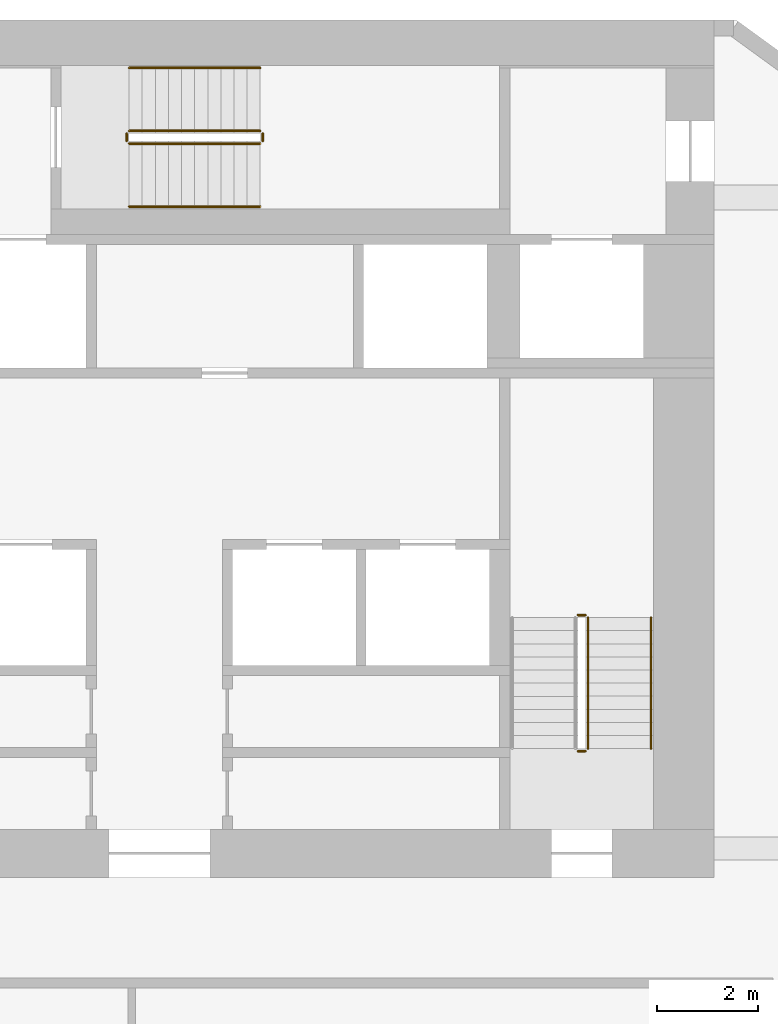
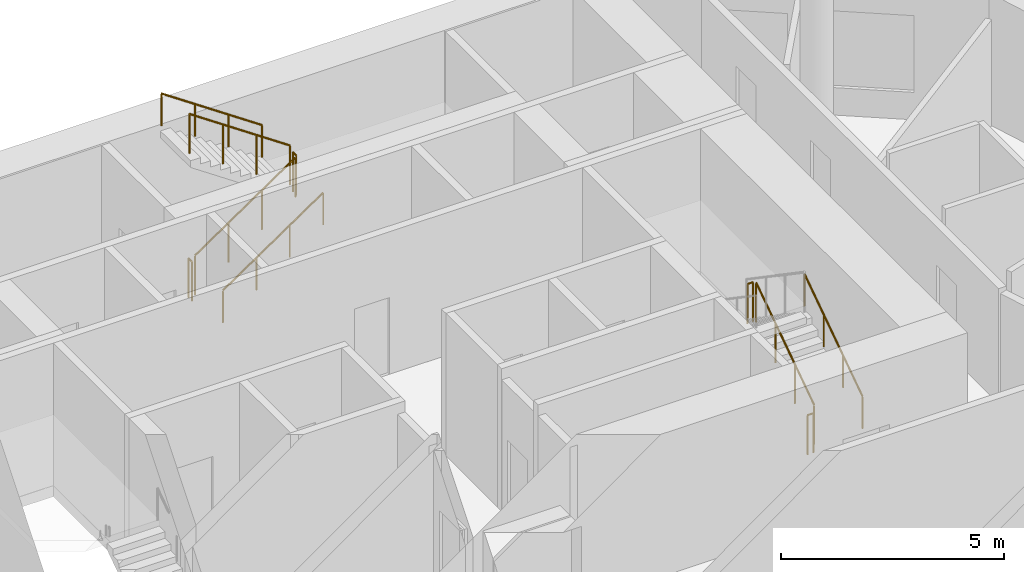
# One storey, part 9 of 9: 10 railings.
"""IFC4 building model written with IfcOpenShell, lengths in metres."""

from ifc_helpers import new_model, si_unit, direction, frame, origin, origin_2d, place, context, subcontext, project, spatial, circle, extrude, material, type_object, element, save


model = new_model("IFC4")

# Units and contexts
model_context = context("Model", 3, precision=1e-05, world=origin(), true_north=direction((0.0, 1.0)))
body_context = subcontext(model_context, "Body", "Model", "MODEL_VIEW")
ifc_project = project(units=[si_unit("LENGTHUNIT", "METRE"), si_unit("AREAUNIT", "SQUARE_METRE"), si_unit("VOLUMEUNIT", "CUBIC_METRE"), si_unit("PLANEANGLEUNIT", "RADIAN"), si_unit("MASSUNIT", "GRAM", prefix="KILO")], contexts=[model_context])

# Site, building, storey
site_placement = place(None, origin())
site = spatial("IfcSite", under=ifc_project, at=site_placement, CompositionType="ELEMENT")
building_placement = place(site_placement, origin())
building = spatial("IfcBuilding", under=site, at=building_placement, Name="White Candle Pilgrim Tower", CompositionType="ELEMENT")
storey_placement = place(building_placement, frame((0.0, 0.0, 187.60009765625)))
storey = spatial("IfcBuildingStorey", under=building, at=storey_placement, Name="L43", CompositionType="ELEMENT", Elevation=187.60009765625)

# Railings
ifc_material = material(Name="Stainless steel", Category="steel")
railing_type_1 = type_object("IfcRailingType", Name="Stair guard stainless steel 1100 mm", PredefinedType="GUARDRAIL", material=ifc_material)
railing_1_placement = place(storey_placement, frame((78.5, 73.550048828125, 0.17724609375)))
element("IfcRailing", 1, at=railing_1_placement, inside=storey, type_object=railing_type_1, Name="L43 ST2 stair guard 1", PredefinedType="GUARDRAIL", context=body_context, shape_type="SweptSolid", body=[
    extrude(circle(Radius=0.02392578125, at=origin_2d()), frame((0.0, 0.0, 1.076171875), z_axis=(0.0, 0.826215852431, 0.563353676824), x_axis=(-1.0, 0.0, 0.0)), (0.0, 0.0, 1.0), 3.146728515625),
    extrude(circle(Radius=0.02099609375, at=origin_2d()), origin(), (0.0, 0.0, 1.0), 1.052001953125),
    extrude(circle(Radius=0.02099609375, at=origin_2d()), frame((0.0, 0.86669921875, 0.5908203125)), (0.0, 0.0, 1.0), 1.052001953125),
    extrude(circle(Radius=0.02099609375, at=origin_2d()), frame((0.0, 1.733154296875, 1.181884765625)), (0.0, 0.0, 1.0), 1.052001953125),
    extrude(circle(Radius=0.02099609375, at=origin_2d()), frame((0.0, 2.599853515625, 1.772705078125)), (0.0, 0.0, 1.0), 1.052001953125),
])
for number, where, name in (
    (2, (78.449951171875, 76.199951171875, 1.949951171875), "L43 ST2 stair guard 2"),
    (3, (78.449951171875, 73.5, 0.0), "L43 ST2 stair guard 4"),
):
    element("IfcRailing", number, at=place(storey_placement, frame(where)), inside=storey, type_object=railing_type_1, Name=name, PredefinedType="GUARDRAIL", context=body_context, shape_type="SweptSolid", body=[
        extrude(circle(Radius=0.02392578125, at=origin_2d()), frame((0.0, 0.0, 1.076171875), z_axis=(-1.0, 0.0, 0.0), x_axis=(0.0, -1.0, 0.0)), (0.0, 0.0, 1.0), 0.14990234375),
        extrude(circle(Radius=0.02099609375, at=origin_2d()), origin(), (0.0, 0.0, 1.0), 1.052001953125),
        extrude(circle(Radius=0.02099609375, at=origin_2d()), frame((-0.14990234375, 0.0, 0.0)), (0.0, 0.0, 1.0), 1.052001953125),
    ])
railing_2_placement = place(storey_placement, frame((69.39990234375, 85.550048828125, 0.17724609375)))
element("IfcRailing", 4, at=railing_2_placement, inside=storey, type_object=railing_type_1, Name="L43 ST3 stair guard 1", PredefinedType="GUARDRAIL", context=body_context, shape_type="SweptSolid", body=[
    extrude(circle(Radius=0.02392578125, at=origin_2d()), frame((0.0, 0.0, 1.076171875), z_axis=(0.826240473404, 0.0, 0.563317565952), x_axis=(0.0, 1.0, 0.0)), (0.0, 0.0, 1.0), 3.14697265625),
    extrude(circle(Radius=0.02099609375, at=origin_2d()), origin(), (0.0, 0.0, 1.0), 1.052001953125),
    extrude(circle(Radius=0.02099609375, at=origin_2d()), frame((0.86669921875, 0.0, 0.5908203125)), (0.0, 0.0, 1.0), 1.052001953125),
    extrude(circle(Radius=0.02099609375, at=origin_2d()), frame((1.7333984375, 0.0, 1.181884765625)), (0.0, 0.0, 1.0), 1.052001953125),
    extrude(circle(Radius=0.02099609375, at=origin_2d()), frame((2.60009765625, 0.0, 1.772705078125)), (0.0, 0.0, 1.0), 1.052001953125),
])
railing_3_placement = place(storey_placement, frame((72.050048828125, 85.60009765625, 1.949951171875)))
element("IfcRailing", 5, at=railing_3_placement, inside=storey, type_object=railing_type_1, Name="L43 ST3 stair guard 2", PredefinedType="GUARDRAIL", context=body_context, shape_type="SweptSolid", body=[
    extrude(circle(Radius=0.02392578125, at=origin_2d()), frame((0.0, 0.0, 1.076171875), z_axis=(0.0, 1.0, 0.0), x_axis=(-1.0, 0.0, 0.0)), (0.0, 0.0, 1.0), 0.14990234375),
    extrude(circle(Radius=0.02099609375, at=origin_2d()), origin(), (0.0, 0.0, 1.0), 1.052001953125),
    extrude(circle(Radius=0.02099609375, at=origin_2d()), frame((0.0, 0.14990234375, 0.0)), (0.0, 0.0, 1.0), 1.052001953125),
])
railing_4_placement = place(storey_placement, frame((72.0, 85.800048828125, 2.127197265625)))
element("IfcRailing", 6, at=railing_4_placement, inside=storey, type_object=railing_type_1, Name="L43 ST3 stair guard 3", PredefinedType="GUARDRAIL", context=body_context, shape_type="SweptSolid", body=[
    extrude(circle(Radius=0.02392578125, at=origin_2d()), frame((0.0, 0.0, 1.076171875), z_axis=(-0.826240473404, 0.0, 0.563317565952), x_axis=(0.0, -1.0, 0.0)), (0.0, 0.0, 1.0), 3.14697265625),
    extrude(circle(Radius=0.02099609375, at=origin_2d()), origin(), (0.0, 0.0, 1.0), 1.052001953125),
    extrude(circle(Radius=0.02099609375, at=origin_2d()), frame((-0.86669921875, 0.0, 0.5908203125)), (0.0, 0.0, 1.0), 1.052001953125),
    extrude(circle(Radius=0.02099609375, at=origin_2d()), frame((-1.7333984375, 0.0, 1.181884765625)), (0.0, 0.0, 1.0), 1.052001953125),
    extrude(circle(Radius=0.02099609375, at=origin_2d()), frame((-2.60009765625, 0.0, 1.772705078125)), (0.0, 0.0, 1.0), 1.052001953125),
])
railing_5_placement = place(storey_placement, frame((69.35009765625, 85.60009765625, 0.0)))
element("IfcRailing", 7, at=railing_5_placement, inside=storey, type_object=railing_type_1, Name="L43 ST3 stair guard 4", PredefinedType="GUARDRAIL", context=body_context, shape_type="SweptSolid", body=[
    extrude(circle(Radius=0.02392578125, at=origin_2d()), frame((0.0, 0.0, 1.076171875), z_axis=(0.0, 1.0, 0.0), x_axis=(-1.0, 0.0, 0.0)), (0.0, 0.0, 1.0), 0.14990234375),
    extrude(circle(Radius=0.02099609375, at=origin_2d()), origin(), (0.0, 0.0, 1.0), 1.052001953125),
    extrude(circle(Radius=0.02099609375, at=origin_2d()), frame((0.0, 0.14990234375, 0.0)), (0.0, 0.0, 1.0), 1.052001953125),
])
railing_type_2 = type_object("IfcRailingType", Name="Stair handrail stainless steel", PredefinedType="HANDRAIL", material=ifc_material)
railing_6_placement = place(storey_placement, frame((79.75, 73.550048828125, 0.17724609375)))
element("IfcRailing", 8, at=railing_6_placement, inside=storey, type_object=railing_type_2, Name="L43 ST2 stair handrail 1", PredefinedType="HANDRAIL", context=body_context, shape_type="SweptSolid", body=[
    extrude(circle(Radius=0.02392578125, at=origin_2d()), frame((0.0, 0.0, 0.8759765625), z_axis=(0.0, 0.826215852431, 0.563353676824), x_axis=(-1.0, 0.0, 0.0)), (0.0, 0.0, 1.0), 3.146728515625),
    extrude(circle(Radius=0.02099609375, at=origin_2d()), origin(), (0.0, 0.0, 1.0), 0.851806640625),
    extrude(circle(Radius=0.02099609375, at=origin_2d()), frame((0.0, 0.86669921875, 0.5908203125)), (0.0, 0.0, 1.0), 0.851806640625),
    extrude(circle(Radius=0.02099609375, at=origin_2d()), frame((0.0, 1.733154296875, 1.181884765625)), (0.0, 0.0, 1.0), 0.851806640625),
    extrude(circle(Radius=0.02099609375, at=origin_2d()), frame((0.0, 2.599853515625, 1.772705078125)), (0.0, 0.0, 1.0), 0.851806640625),
])
railing_7_placement = place(storey_placement, frame((69.39990234375, 84.300048828125, 0.17724609375)))
element("IfcRailing", 9, at=railing_7_placement, inside=storey, type_object=railing_type_2, Name="L43 ST3 stair handrail 1", PredefinedType="HANDRAIL", context=body_context, shape_type="SweptSolid", body=[
    extrude(circle(Radius=0.02392578125, at=origin_2d()), frame((0.0, 0.0, 0.8759765625), z_axis=(0.826240473404, 0.0, 0.563317565952), x_axis=(0.0, 1.0, 0.0)), (0.0, 0.0, 1.0), 3.14697265625),
    extrude(circle(Radius=0.02099609375, at=origin_2d()), origin(), (0.0, 0.0, 1.0), 0.851806640625),
    extrude(circle(Radius=0.02099609375, at=origin_2d()), frame((0.86669921875, 0.0, 0.5908203125)), (0.0, 0.0, 1.0), 0.851806640625),
    extrude(circle(Radius=0.02099609375, at=origin_2d()), frame((1.7333984375, 0.0, 1.181884765625)), (0.0, 0.0, 1.0), 0.851806640625),
    extrude(circle(Radius=0.02099609375, at=origin_2d()), frame((2.60009765625, 0.0, 1.772705078125)), (0.0, 0.0, 1.0), 0.851806640625),
])
railing_8_placement = place(storey_placement, frame((72.0, 87.050048828125, 2.127197265625)))
element("IfcRailing", 10, at=railing_8_placement, inside=storey, type_object=railing_type_2, Name="L43 ST3 stair handrail 2", PredefinedType="HANDRAIL", context=body_context, shape_type="SweptSolid", body=[
    extrude(circle(Radius=0.02392578125, at=origin_2d()), frame((0.0, 0.0, 0.8759765625), z_axis=(-0.826240473404, 0.0, 0.563317565952), x_axis=(0.0, -1.0, 0.0)), (0.0, 0.0, 1.0), 3.14697265625),
    extrude(circle(Radius=0.02099609375, at=origin_2d()), origin(), (0.0, 0.0, 1.0), 0.851806640625),
    extrude(circle(Radius=0.02099609375, at=origin_2d()), frame((-0.86669921875, 0.0, 0.5908203125)), (0.0, 0.0, 1.0), 0.851806640625),
    extrude(circle(Radius=0.02099609375, at=origin_2d()), frame((-1.7333984375, 0.0, 1.181884765625)), (0.0, 0.0, 1.0), 0.851806640625),
    extrude(circle(Radius=0.02099609375, at=origin_2d()), frame((-2.60009765625, 0.0, 1.772705078125)), (0.0, 0.0, 1.0), 0.851806640625),
])

save(model, "model.ifc")
